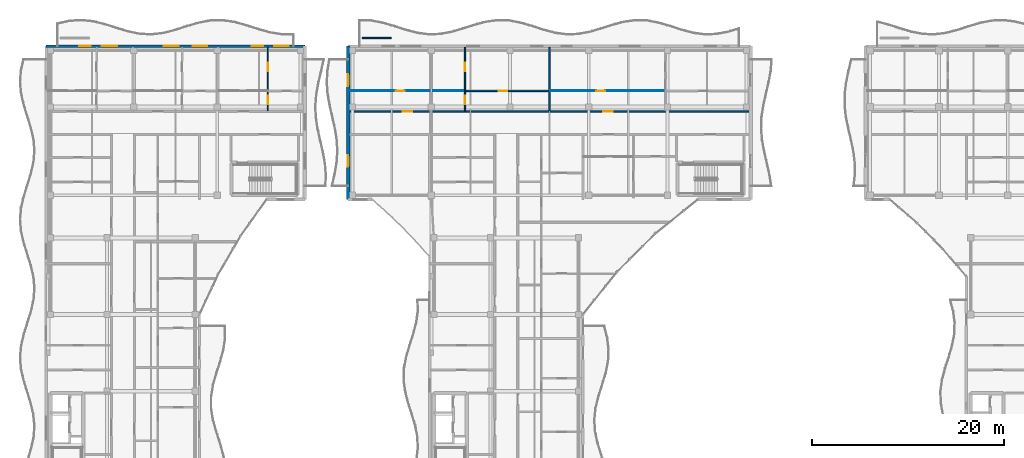
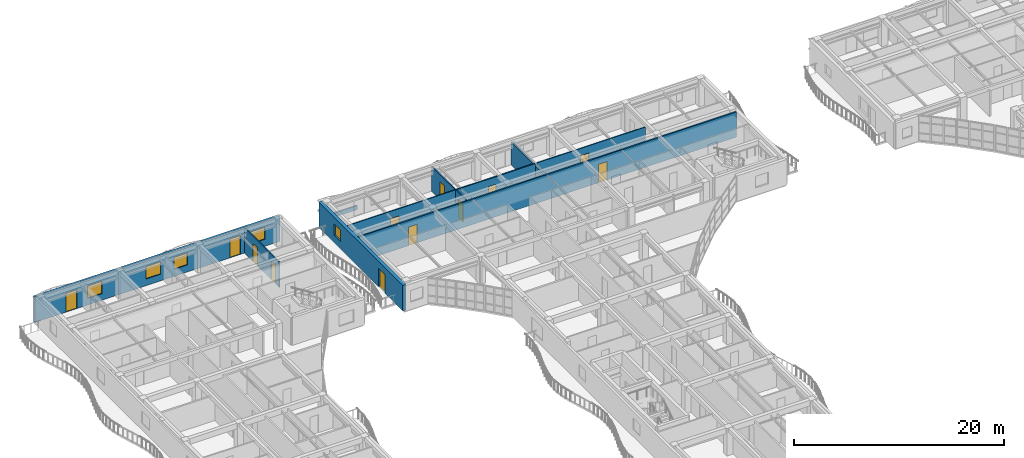
# One storey, part 90 of 128: 12 doors, 10 walls, 5 windows, 17 openings.
"""IFC4 building model written with IfcOpenShell, lengths in metres."""

from ifc_helpers import new_model, si_unit, direction, frame, frame_2d, origin, place, context, subcontext, project, spatial, rectangle, extrude, material, layer, layer_set, type_object, element, fill, save


model = new_model("IFC4")

# Units and contexts
model_context = context("Model", 3, precision=1e-05, world=origin(), true_north=direction((0.0, 1.0)))
body_context = subcontext(model_context, "Body", "Model", "MODEL_VIEW")
ifc_project = project(units=[si_unit("LENGTHUNIT", "METRE"), si_unit("AREAUNIT", "SQUARE_METRE"), si_unit("VOLUMEUNIT", "CUBIC_METRE"), si_unit("PLANEANGLEUNIT", "RADIAN"), si_unit("MASSUNIT", "GRAM", prefix="KILO")], contexts=[model_context])

# Site, building, storey
site_placement = place(None, origin())
site = spatial("IfcSite", under=ifc_project, at=site_placement, CompositionType="ELEMENT")
building_placement = place(site_placement, origin())
building = spatial("IfcBuilding", under=site, at=building_placement, Name="Keldmere Railside Commons", CompositionType="ELEMENT")
storey_placement = place(building_placement, frame((0.0, 0.0, 4.159912109375)))
storey = spatial("IfcBuildingStorey", under=building, at=storey_placement, Name="L01", CompositionType="ELEMENT", Elevation=4.159912109375)

# Wall
ifc_material_1 = material(Name="Acoustic Gypsum Board Partition", Category="gypsum")
ifc_layer_1 = layer(ifc_material_1, 0.179931640625, Name="Acoustic Demising Partition 180")
ifc_layer_set_1 = layer_set([ifc_layer_1], Name="Acoustic Gypsum Board Partition")
wall_type_1 = type_object("IfcWallType", Name="Acoustic Demising Partition 180", PredefinedType="PARTITIONING", material=ifc_layer_set_1)
wall_1_placement = place(storey_placement, frame((60.5, 109.280029296875, 0.0), z_axis=(0.0, 0.0, 1.0), x_axis=(0.0, 1.0, 0.0)))
element("IfcWall", 1, at=wall_1_placement, inside=storey, type_object=wall_type_1, Name="IW-1 IW-L01-0532", PredefinedType="PARTITIONING", context=body_context, shape_type="SweptSolid", body=[
    extrude(rectangle(XDim=6.590087890625, YDim=0.179931640625, at=frame_2d((3.294921875, 0.0))), origin(), (0.0, 0.0, 1.0), 2.670166015625),
])

# Wall, openings, doors
ifc_layer_2 = layer(ifc_material_1, 0.1201171875, Name="Apartment Interior Partition 120")
ifc_layer_set_2 = layer_set([ifc_layer_2], Name="Acoustic Gypsum Board Partition")
wall_type_2 = type_object("IfcWallType", Name="Apartment Interior Partition 120", PredefinedType="PARTITIONING", material=ifc_layer_set_2)
wall_2_placement = place(storey_placement, frame((31.1298828125, 109.280029296875, 0.0), z_axis=(0.0, 0.0, 1.0), x_axis=(0.0, 1.0, 0.0)))
wall_2 = element("IfcWall", 2, at=wall_2_placement, inside=storey, type_object=wall_type_2, Name="IW-4 IW-L01-0235", PredefinedType="PARTITIONING", context=body_context, shape_type="SweptSolid", body=[
    extrude(rectangle(XDim=6.599853515625, YDim=0.1201171875, at=frame_2d((3.2998046875, 0.0))), origin(), (0.0, 0.0, 1.0), 2.93505859375),
])
opening_1_placement = place(wall_2_placement, frame((0.656005859375, 0.0, 0.0)))
opening_1 = element("IfcOpeningElement", 3, at=opening_1_placement, cuts=wall_2, Name="Opening ID-04", PredefinedType="OPENING", context=body_context, shape_type="SweptSolid", body=[
    extrude(rectangle(XDim=0.860107421875, YDim=2.10009765625, at=frame_2d((0.43017578125, 1.050048828125))), frame((0.0, 0.070068359375, 0.0), z_axis=(0.0, -1.0, 0.0), x_axis=(1.0, 0.0, 0.0)), (0.0, 0.0, 1.0), 0.14013671875),
])
opening_2_placement = place(wall_2_placement, frame((4.097412109375, 0.0, 0.0)))
opening_2 = element("IfcOpeningElement", 4, at=opening_2_placement, cuts=wall_2, Name="Opening ID-01", PredefinedType="OPENING", context=body_context, shape_type="SweptSolid", body=[
    extrude(rectangle(XDim=0.89990234375, YDim=2.10009765625, at=frame_2d((0.449951171875, 1.050048828125))), frame((0.0, 0.070068359375, 0.0), z_axis=(0.0, -1.0, 0.0), x_axis=(1.0, 0.0, 0.0)), (0.0, 0.0, 1.0), 0.14013671875),
])
ifc_material_2 = material(Name="Engineered Oak Timber", Category="wood")
door_type_1 = type_object("IfcDoorType", Name="Apartment Bathroom Door 860x2100", OperationType="NOTDEFINED", PredefinedType="DOOR", material=ifc_material_2)
door_1_placement = place(opening_1_placement, origin())
door_1 = element("IfcDoor", 5, at=door_1_placement, inside=storey, type_object=door_type_1, Name="ID-04 IDR-L01-0147", OperationType="SINGLE_SWING_LEFT", OverallHeight=2.10009765625, OverallWidth=0.860107421875, PredefinedType="DOOR", context=body_context, shape_type="SweptSolid", body=[
    extrude(rectangle(XDim=0.860107421875, YDim=2.10009765625, at=frame_2d((0.43017578125, 1.050048828125))), frame((0.0, 0.02490234375, 0.0), z_axis=(0.0, -1.0, 0.0), x_axis=(1.0, 0.0, 0.0)), (0.0, 0.0, 1.0), 0.050048828125),
])
fill(opening_1, door_1)
door_type_2 = type_object("IfcDoorType", Name="Primary Bedroom Door 900x2100", OperationType="NOTDEFINED", PredefinedType="DOOR", material=ifc_material_2)
door_2_placement = place(opening_2_placement, origin())
door_2 = element("IfcDoor", 6, at=door_2_placement, inside=storey, type_object=door_type_2, Name="ID-01 IDR-L01-0148", OperationType="SINGLE_SWING_RIGHT", OverallHeight=2.10009765625, OverallWidth=0.89990234375, PredefinedType="DOOR", context=body_context, shape_type="SweptSolid", body=[
    extrude(rectangle(XDim=0.89990234375, YDim=2.10009765625, at=frame_2d((0.449951171875, 1.050048828125))), frame((0.0, 0.02490234375, 0.0), z_axis=(0.0, -1.0, 0.0), x_axis=(1.0, 0.0, 0.0)), (0.0, 0.0, 1.0), 0.050048828125),
])
fill(opening_2, door_2)

wall_3_placement = place(storey_placement, frame((51.699951171875, 109.280029296875, 0.0), z_axis=(0.0, 0.0, 1.0), x_axis=(0.0, 1.0, 0.0)))
wall_3 = element("IfcWall", 7, at=wall_3_placement, inside=storey, type_object=wall_type_2, Name="IW-4 IW-L01-0533", PredefinedType="PARTITIONING", context=body_context, shape_type="SweptSolid", body=[
    extrude(rectangle(XDim=6.590087890625, YDim=0.1201171875, at=frame_2d((3.294921875, 0.0))), origin(), (0.0, 0.0, 1.0), 2.93505859375),
])
opening_3_placement = place(wall_3_placement, frame((0.656005859375, 0.0, 0.0)))
opening_3 = element("IfcOpeningElement", 8, at=opening_3_placement, cuts=wall_3, Name="Opening ID-04", PredefinedType="OPENING", context=body_context, shape_type="SweptSolid", body=[
    extrude(rectangle(XDim=0.860107421875, YDim=2.10009765625, at=frame_2d((0.43017578125, 1.050048828125))), frame((0.0, 0.070068359375, 0.0), z_axis=(0.0, -1.0, 0.0), x_axis=(1.0, 0.0, 0.0)), (0.0, 0.0, 1.0), 0.14013671875),
])
opening_4_placement = place(wall_3_placement, frame((4.093017578125, 0.0, 0.0)))
opening_4 = element("IfcOpeningElement", 9, at=opening_4_placement, cuts=wall_3, Name="Opening ID-01", PredefinedType="OPENING", context=body_context, shape_type="SweptSolid", body=[
    extrude(rectangle(XDim=0.89990234375, YDim=2.10009765625, at=frame_2d((0.449951171875, 1.050048828125))), frame((0.0, 0.070068359375, 0.0), z_axis=(0.0, -1.0, 0.0), x_axis=(1.0, 0.0, 0.0)), (0.0, 0.0, 1.0), 0.14013671875),
])
door_3_placement = place(opening_3_placement, origin())
door_3 = element("IfcDoor", 10, at=door_3_placement, inside=storey, type_object=door_type_1, Name="ID-04 IDR-L01-0426", OperationType="SINGLE_SWING_RIGHT", OverallHeight=2.10009765625, OverallWidth=0.860107421875, PredefinedType="DOOR", context=body_context, shape_type="SweptSolid", body=[
    extrude(rectangle(XDim=0.860107421875, YDim=2.10009765625, at=frame_2d((0.43017578125, 1.050048828125))), frame((0.0, 0.02490234375, 0.0), z_axis=(0.0, -1.0, 0.0), x_axis=(1.0, 0.0, 0.0)), (0.0, 0.0, 1.0), 0.050048828125),
])
fill(opening_3, door_3)
door_4_placement = place(opening_4_placement, origin())
door_4 = element("IfcDoor", 11, at=door_4_placement, inside=storey, type_object=door_type_2, Name="ID-01 IDR-L01-0427", OperationType="SINGLE_SWING_LEFT", OverallHeight=2.10009765625, OverallWidth=0.89990234375, PredefinedType="DOOR", context=body_context, shape_type="SweptSolid", body=[
    extrude(rectangle(XDim=0.89990234375, YDim=2.10009765625, at=frame_2d((0.449951171875, 1.050048828125))), frame((0.0, 0.02490234375, 0.0), z_axis=(0.0, -1.0, 0.0), x_axis=(1.0, 0.0, 0.0)), (0.0, 0.0, 1.0), 0.050048828125),
])
fill(opening_4, door_4)

# Wall
ifc_material_3 = material(Name="White Precast Concrete H-35 (C35/45)", Category="concrete")
ifc_layer_3 = layer(ifc_material_3, 0.169921875, Name="Balcony Planter Kerb Wall 170")
ifc_layer_set_3 = layer_set([ifc_layer_3], Name="White Precast Concrete H-35 (C35/45)")
wall_type_3 = type_object("IfcWallType", Name="Balcony Planter Kerb Wall 170", PredefinedType="PARAPET", material=ifc_layer_set_3)
wall_4_placement = place(storey_placement, frame((41.0, 116.85009765625, 0.0), z_axis=(0.0, 0.0, 1.0), x_axis=(1.0, 0.0, 0.0)))
element("IfcWall", 12, at=wall_4_placement, inside=storey, type_object=wall_type_3, Name="PW-2 PKBC-L01-0334", PredefinedType="PARAPET", context=body_context, shape_type="SweptSolid", body=[
    extrude(rectangle(XDim=3.0, YDim=0.169921875, at=frame_2d((1.5, 0.0))), origin(), (0.0, 0.0, 1.0), 0.4501953125),
])

# Wall, opening, door
ifc_layer_4 = layer(ifc_material_1, 0.10009765625, Name="Closet Light Partition 100")
ifc_layer_set_4 = layer_set([ifc_layer_4], Name="Acoustic Gypsum Board Partition")
wall_type_4 = type_object("IfcWallType", Name="Closet Light Partition 100", PredefinedType="PARTITIONING", material=ifc_layer_set_4)
wall_5_placement = place(storey_placement, frame((39.679931640625, 111.330078125, 0.0), z_axis=(0.0, 0.0, 1.0), x_axis=(1.0, 0.0, 0.0)))
wall_5 = element("IfcWall", 13, at=wall_5_placement, inside=storey, type_object=wall_type_4, Name="IW-6 IW-L01-0535", PredefinedType="PARTITIONING", context=body_context, shape_type="SweptSolid", body=[
    extrude(rectangle(XDim=11.9599609375, YDim=0.10009765625, at=frame_2d((5.97998046875, 0.0))), origin(), (0.0, 0.0, 1.0), 2.93505859375),
])
opening_5_placement = place(wall_5_placement, frame((4.80810546875, 0.0, 0.0)))
opening_5 = element("IfcOpeningElement", 14, at=opening_5_placement, cuts=wall_5, Name="Opening ID-03", PredefinedType="OPENING", context=body_context, shape_type="SweptSolid", body=[
    extrude(rectangle(XDim=0.919921875, YDim=2.10009765625, at=frame_2d((0.4599609375, 1.050048828125))), frame((0.0, 0.06005859375, 0.0), z_axis=(0.0, -1.0, 0.0), x_axis=(1.0, 0.0, 0.0)), (0.0, 0.0, 1.0), 0.1201171875),
])
door_type_3 = type_object("IfcDoorType", Name="Kitchen Pocket-Frame Swing Door 920x2100", OperationType="NOTDEFINED", PredefinedType="DOOR", material=ifc_material_2)
door_5_placement = place(opening_5_placement, origin())
door_5 = element("IfcDoor", 15, at=door_5_placement, inside=storey, type_object=door_type_3, Name="ID-03 IDR-L01-0425", OperationType="SINGLE_SWING_LEFT", OverallHeight=2.10009765625, OverallWidth=0.919921875, PredefinedType="DOOR", context=body_context, shape_type="SweptSolid", body=[
    extrude(rectangle(XDim=0.919921875, YDim=2.10009765625, at=frame_2d((0.4599609375, 1.050048828125))), frame((0.0, 0.02490234375, 0.0), z_axis=(0.0, -1.0, 0.0), x_axis=(1.0, 0.0, 0.0)), (0.0, 0.0, 1.0), 0.050048828125),
])
fill(opening_5, door_5)

wall_6_placement = place(storey_placement, frame((60.590087890625, 111.330078125, 0.0), z_axis=(0.0, 0.0, 1.0), x_axis=(1.0, 0.0, 0.0)))
wall_6 = element("IfcWall", 16, at=wall_6_placement, inside=storey, type_object=wall_type_4, Name="IW-6 IW-L01-0538", PredefinedType="PARTITIONING", context=body_context, shape_type="SweptSolid", body=[
    extrude(rectangle(XDim=11.9599609375, YDim=0.10009765625, at=frame_2d((5.97998046875, 0.0))), origin(), (0.0, 0.0, 1.0), 2.93505859375),
])
opening_6_placement = place(wall_6_placement, frame((4.80810546875, 0.0, 0.0)))
opening_6 = element("IfcOpeningElement", 17, at=opening_6_placement, cuts=wall_6, Name="Opening ID-03", PredefinedType="OPENING", context=body_context, shape_type="SweptSolid", body=[
    extrude(rectangle(XDim=0.919921875, YDim=2.10009765625, at=frame_2d((0.4599609375, 1.050048828125))), frame((0.0, 0.06005859375, 0.0), z_axis=(0.0, -1.0, 0.0), x_axis=(1.0, 0.0, 0.0)), (0.0, 0.0, 1.0), 0.1201171875),
])
door_6_placement = place(opening_6_placement, origin())
door_6 = element("IfcDoor", 18, at=door_6_placement, inside=storey, type_object=door_type_3, Name="ID-03 IDR-L01-0430", OperationType="SINGLE_SWING_RIGHT", OverallHeight=2.10009765625, OverallWidth=0.919921875, PredefinedType="DOOR", context=body_context, shape_type="SweptSolid", body=[
    extrude(rectangle(XDim=0.919921875, YDim=2.10009765625, at=frame_2d((0.4599609375, 1.050048828125))), frame((0.0, 0.02490234375, 0.0), z_axis=(0.0, -1.0, 0.0), x_axis=(1.0, 0.0, 0.0)), (0.0, 0.0, 1.0), 0.050048828125),
])
fill(opening_6, door_6)

# Wall, openings, doors
ifc_layer_5 = layer(ifc_material_1, 0.159912109375, Name="Corridor Fire Partition 160")
ifc_layer_set_5 = layer_set([ifc_layer_5], Name="Acoustic Gypsum Board Partition")
wall_type_5 = type_object("IfcWallType", Name="Corridor Fire Partition 160", PredefinedType="PARTITIONING", material=ifc_layer_set_5)
wall_7_placement = place(storey_placement, frame((39.679931640625, 109.199951171875, 0.0), z_axis=(0.0, 0.0, 1.0), x_axis=(1.0, 0.0, 0.0)))
wall_7 = element("IfcWall", 19, at=wall_7_placement, inside=storey, type_object=wall_type_5, Name="IW-2 IW-L01-0510", PredefinedType="PARTITIONING", context=body_context, shape_type="SweptSolid", body=[
    extrude(rectangle(XDim=41.64013671875, YDim=0.159912109375, at=frame_2d((20.820068359375, 0.0))), origin(), (0.0, 0.0, 1.0), 2.93505859375),
])
opening_7_placement = place(wall_7_placement, frame((5.52001953125, 0.0, 0.0)))
opening_7 = element("IfcOpeningElement", 20, at=opening_7_placement, cuts=wall_7, Name="Opening FD-7", PredefinedType="OPENING", context=body_context, shape_type="SweptSolid", body=[
    extrude(rectangle(XDim=0.97998046875, YDim=2.14990234375, at=frame_2d((0.489990234375, 1.074951171875))), frame((0.0, 0.08984375, 0.0), z_axis=(0.0, -1.0, 0.0), x_axis=(1.0, 0.0, 0.0)), (0.0, 0.0, 1.0), 0.179931640625),
])
opening_8_placement = place(wall_7_placement, frame((26.429931640625, 0.0, 0.0)))
opening_8 = element("IfcOpeningElement", 21, at=opening_8_placement, cuts=wall_7, Name="Opening FD-7", PredefinedType="OPENING", context=body_context, shape_type="SweptSolid", body=[
    extrude(rectangle(XDim=0.97998046875, YDim=2.14990234375, at=frame_2d((0.489990234375, 1.074951171875))), frame((0.0, 0.08984375, 0.0), z_axis=(0.0, -1.0, 0.0), x_axis=(1.0, 0.0, 0.0)), (0.0, 0.0, 1.0), 0.179931640625),
])
door_type_4 = type_object("IfcDoorType", Name="Apartment Entrance Acoustic Fire Door 980x2150", OperationType="NOTDEFINED", PredefinedType="DOOR", material=ifc_material_2)
door_7_placement = place(opening_7_placement, origin())
door_7 = element("IfcDoor", 22, at=door_7_placement, inside=storey, type_object=door_type_4, Name="FD-7 IDR-L01-0424", OperationType="SINGLE_SWING_RIGHT", OverallHeight=2.14990234375, OverallWidth=0.97998046875, PredefinedType="DOOR", context=body_context, shape_type="SweptSolid", body=[
    extrude(rectangle(XDim=0.97998046875, YDim=2.14990234375, at=frame_2d((0.489990234375, 1.074951171875))), frame((0.0, 0.02490234375, 0.0), z_axis=(0.0, -1.0, 0.0), x_axis=(1.0, 0.0, 0.0)), (0.0, 0.0, 1.0), 0.050048828125),
])
fill(opening_7, door_7)
door_8_placement = place(opening_8_placement, origin())
door_8 = element("IfcDoor", 23, at=door_8_placement, inside=storey, type_object=door_type_4, Name="FD-7 IDR-L01-0429", OperationType="SINGLE_SWING_LEFT", OverallHeight=2.14990234375, OverallWidth=0.97998046875, PredefinedType="DOOR", context=body_context, shape_type="SweptSolid", body=[
    extrude(rectangle(XDim=0.97998046875, YDim=2.14990234375, at=frame_2d((0.489990234375, 1.074951171875))), frame((0.0, 0.02490234375, 0.0), z_axis=(0.0, -1.0, 0.0), x_axis=(1.0, 0.0, 0.0)), (0.0, 0.0, 1.0), 0.050048828125),
])
fill(opening_8, door_8)

# Wall, openings, door, window
ifc_material_4 = material(Name="Concrete H-35 (C35/45)", Category="concrete")
ifc_layer_6 = layer(ifc_material_4, 0.360107421875, Name="Exterior Shear Wall 360")
ifc_layer_set_6 = layer_set([ifc_layer_6], Name="Concrete H-35 (C35/45)")
wall_type_6 = type_object("IfcWallType", Name="Exterior Shear Wall 360", PredefinedType="SHEAR", material=ifc_layer_set_6)
wall_8_placement = place(storey_placement, frame((39.5, 100.0, 0.0), z_axis=(0.0, 0.0, 1.0), x_axis=(0.0, 1.0, 0.0)))
wall_8 = element("IfcWall", 24, at=wall_8_placement, inside=storey, type_object=wall_type_6, Name="ESW-1 EXTC-L01-0331", PredefinedType="SHEAR", context=body_context, shape_type="SweptSolid", body=[
    extrude(rectangle(XDim=16.0, YDim=0.360107421875, at=frame_2d((8.0, 0.0))), origin(), (0.0, 0.0, 1.0), 2.97998046875),
])
opening_9_placement = place(wall_8_placement, frame((3.39990234375, 0.0, 0.0)))
opening_9 = element("IfcOpeningElement", 25, at=opening_9_placement, cuts=wall_8, Name="Opening BD-01", PredefinedType="OPENING", context=body_context, shape_type="SweptSolid", body=[
    extrude(rectangle(XDim=1.199951171875, YDim=2.199951171875, at=frame_2d((0.60009765625, 1.10009765625))), frame((0.0, 0.18994140625, 0.0), z_axis=(0.0, -1.0, 0.0), x_axis=(1.0, 0.0, 0.0)), (0.0, 0.0, 1.0), 0.380126953125),
])
opening_10_placement = place(wall_8_placement, frame((11.824951171875, 0.0, 0.8701171875)))
opening_10 = element("IfcOpeningElement", 26, at=opening_10_placement, cuts=wall_8, Name="Opening WN-09", PredefinedType="OPENING", context=body_context, shape_type="SweptSolid", body=[
    extrude(rectangle(XDim=1.25, YDim=1.35009765625, at=frame_2d((0.625, 0.675048828125))), frame((0.0, 0.18994140625, 0.0), z_axis=(0.0, -1.0, 0.0), x_axis=(1.0, 0.0, 0.0)), (0.0, 0.0, 1.0), 0.380126953125),
])
ifc_material_5 = material(Name="Thermally Broken Aluminium", Category="aluminium")
door_type_5 = type_object("IfcDoorType", Name="Apartment Living Wave-Balcony Glazed Door 1200x2200", OperationType="NOTDEFINED", PredefinedType="DOOR", material=ifc_material_5)
door_9_placement = place(opening_9_placement, origin())
door_9 = element("IfcDoor", 27, at=door_9_placement, inside=storey, type_object=door_type_5, Name="BD-01 DR-L01-0059", OperationType="SINGLE_SWING_LEFT", OverallHeight=2.199951171875, OverallWidth=1.199951171875, PredefinedType="DOOR", context=body_context, shape_type="SweptSolid", body=[
    extrude(rectangle(XDim=1.199951171875, YDim=2.199951171875, at=frame_2d((0.60009765625, 1.10009765625))), frame((0.0, 0.02490234375, 0.0), z_axis=(0.0, -1.0, 0.0), x_axis=(1.0, 0.0, 0.0)), (0.0, 0.0, 1.0), 0.050048828125),
])
fill(opening_9, door_9)
ifc_material_6 = material(Name="Low-E Insulated Double Glazing", Category="glass")
window_type_1 = type_object("IfcWindowType", Name="Secondary Bedroom Window 1250x1350", PartitioningType="SINGLE_PANEL", PredefinedType="WINDOW", material=ifc_material_6)
window_1_placement = place(opening_10_placement, origin())
window_1 = element("IfcWindow", 28, at=window_1_placement, inside=storey, type_object=window_type_1, Name="WN-09 WIN-L01-0186", OverallHeight=1.35009765625, OverallWidth=1.25, PartitioningType="SINGLE_PANEL", PredefinedType="WINDOW", context=body_context, shape_type="SweptSolid", body=[
    extrude(rectangle(XDim=1.25, YDim=1.35009765625, at=frame_2d((0.625, 0.675048828125))), frame((0.0, 0.030029296875, 0.0), z_axis=(0.0, -1.0, 0.0), x_axis=(1.0, 0.0, 0.0)), (0.0, 0.0, 1.0), 0.06005859375),
])
fill(opening_10, window_1)

# Wall, openings, doors, windows
ifc_material_7 = material(Name="Architectural Precast Concrete H-35 (C35/45)", Category="concrete")
ifc_layer_7 = layer(ifc_material_7, 0.239990234375, Name="Sand-Ochre Precast Cavity Wall 240")
ifc_layer_set_7 = layer_set([ifc_layer_7], Name="Architectural Precast Concrete H-35 (C35/45)")
wall_type_7 = type_object("IfcWallType", Name="Sand-Ochre Precast Cavity Wall 240", PredefinedType="SOLIDWALL", material=ifc_layer_set_7)
wall_9_placement = place(storey_placement, frame((8.0, 116.0, 0.0), z_axis=(0.0, 0.0, 1.0), x_axis=(1.0, 0.0, 0.0)))
wall_9 = element("IfcWall", 29, at=wall_9_placement, inside=storey, type_object=wall_type_7, Name="EW-2 EXTD-L01-0133", PredefinedType="SOLIDWALL", context=body_context, shape_type="SweptSolid", body=[
    extrude(rectangle(XDim=27.0, YDim=0.239990234375, at=frame_2d((13.5, 0.0))), origin(), (0.0, 0.0, 1.0), 2.97998046875),
])
opening_11_placement = place(wall_9_placement, frame((3.449951171875, 0.0, 0.0)))
opening_11 = element("IfcOpeningElement", 30, at=opening_11_placement, cuts=wall_9, Name="Opening BD-01", PredefinedType="OPENING", context=body_context, shape_type="SweptSolid", body=[
    extrude(rectangle(XDim=1.199951171875, YDim=2.199951171875, at=frame_2d((0.60009765625, 1.10009765625))), frame((0.0, 0.1298828125, 0.0), z_axis=(0.0, -1.0, 0.0), x_axis=(1.0, 0.0, 0.0)), (0.0, 0.0, 1.0), 0.260009765625),
])
opening_12_placement = place(wall_9_placement, frame((5.800048828125, 0.0, 0.77001953125)))
opening_12 = element("IfcOpeningElement", 31, at=opening_12_placement, cuts=wall_9, Name="Opening WN-04", PredefinedType="OPENING", context=body_context, shape_type="SweptSolid", body=[
    extrude(rectangle(XDim=1.60009765625, YDim=1.449951171875, at=frame_2d((0.800048828125, 0.72509765625))), frame((0.0, 0.1298828125, 0.0), z_axis=(0.0, -1.0, 0.0), x_axis=(1.0, 0.0, 0.0)), (0.0, 0.0, 1.0), 0.260009765625),
])
opening_13_placement = place(wall_9_placement, frame((12.25, 0.0, 0.77001953125)))
opening_13 = element("IfcOpeningElement", 32, at=opening_13_placement, cuts=wall_9, Name="Opening WN-04", PredefinedType="OPENING", context=body_context, shape_type="SweptSolid", body=[
    extrude(rectangle(XDim=1.60009765625, YDim=1.449951171875, at=frame_2d((0.800048828125, 0.72509765625))), frame((0.0, 0.1298828125, 0.0), z_axis=(0.0, -1.0, 0.0), x_axis=(1.0, 0.0, 0.0)), (0.0, 0.0, 1.0), 0.260009765625),
])
opening_14_placement = place(wall_9_placement, frame((21.449951171875, 0.0, 0.0)))
opening_14 = element("IfcOpeningElement", 33, at=opening_14_placement, cuts=wall_9, Name="Opening BD-01", PredefinedType="OPENING", context=body_context, shape_type="SweptSolid", body=[
    extrude(rectangle(XDim=1.199951171875, YDim=2.199951171875, at=frame_2d((0.60009765625, 1.10009765625))), frame((0.0, 0.1298828125, 0.0), z_axis=(0.0, -1.0, 0.0), x_axis=(1.0, 0.0, 0.0)), (0.0, 0.0, 1.0), 0.260009765625),
])
opening_15_placement = place(wall_9_placement, frame((23.800048828125, 0.0, 0.820068359375)))
opening_15 = element("IfcOpeningElement", 34, at=opening_15_placement, cuts=wall_9, Name="Opening WN-06", PredefinedType="OPENING", context=body_context, shape_type="SweptSolid", body=[
    extrude(rectangle(XDim=1.5, YDim=1.39990234375, at=frame_2d((0.75, 0.699951171875))), frame((0.0, 0.1298828125, 0.0), z_axis=(0.0, -1.0, 0.0), x_axis=(1.0, 0.0, 0.0)), (0.0, 0.0, 1.0), 0.260009765625),
])
opening_16_placement = place(wall_9_placement, frame((15.300048828125, 0.0, 0.820068359375)))
opening_16 = element("IfcOpeningElement", 35, at=opening_16_placement, cuts=wall_9, Name="Opening WN-06", PredefinedType="OPENING", context=body_context, shape_type="SweptSolid", body=[
    extrude(rectangle(XDim=1.5, YDim=1.39990234375, at=frame_2d((0.75, 0.699951171875))), frame((0.0, 0.1298828125, 0.0), z_axis=(0.0, -1.0, 0.0), x_axis=(1.0, 0.0, 0.0)), (0.0, 0.0, 1.0), 0.260009765625),
])
door_10_placement = place(opening_11_placement, origin())
door_10 = element("IfcDoor", 36, at=door_10_placement, inside=storey, type_object=door_type_5, Name="BD-01 DR-L01-0010", OperationType="SINGLE_SWING_RIGHT", OverallHeight=2.199951171875, OverallWidth=1.199951171875, PredefinedType="DOOR", context=body_context, shape_type="SweptSolid", body=[
    extrude(rectangle(XDim=1.199951171875, YDim=2.199951171875, at=frame_2d((0.60009765625, 1.10009765625))), frame((0.0, 0.02490234375, 0.0), z_axis=(0.0, -1.0, 0.0), x_axis=(1.0, 0.0, 0.0)), (0.0, 0.0, 1.0), 0.050048828125),
])
fill(opening_11, door_10)
door_11_placement = place(opening_14_placement, origin())
door_11 = element("IfcDoor", 37, at=door_11_placement, inside=storey, type_object=door_type_5, Name="BD-01 DR-L01-0011", OperationType="SINGLE_SWING_LEFT", OverallHeight=2.199951171875, OverallWidth=1.199951171875, PredefinedType="DOOR", context=body_context, shape_type="SweptSolid", body=[
    extrude(rectangle(XDim=1.199951171875, YDim=2.199951171875, at=frame_2d((0.60009765625, 1.10009765625))), frame((0.0, 0.02490234375, 0.0), z_axis=(0.0, -1.0, 0.0), x_axis=(1.0, 0.0, 0.0)), (0.0, 0.0, 1.0), 0.050048828125),
])
fill(opening_14, door_11)
window_type_2 = type_object("IfcWindowType", Name="Living Room West Shaded Window 1600x1450", PartitioningType="SINGLE_PANEL", PredefinedType="WINDOW", material=ifc_material_6)
window_2_placement = place(opening_12_placement, origin())
window_2 = element("IfcWindow", 38, at=window_2_placement, inside=storey, type_object=window_type_2, Name="WN-04 WIN-L01-0037", OverallHeight=1.449951171875, OverallWidth=1.60009765625, PartitioningType="SINGLE_PANEL", PredefinedType="WINDOW", context=body_context, shape_type="SweptSolid", body=[
    extrude(rectangle(XDim=1.60009765625, YDim=1.449951171875, at=frame_2d((0.800048828125, 0.72509765625))), frame((0.0, 0.030029296875, 0.0), z_axis=(0.0, -1.0, 0.0), x_axis=(1.0, 0.0, 0.0)), (0.0, 0.0, 1.0), 0.06005859375),
])
fill(opening_12, window_2)
window_3_placement = place(opening_13_placement, origin())
window_3 = element("IfcWindow", 39, at=window_3_placement, inside=storey, type_object=window_type_2, Name="WN-04 WIN-L01-0038", OverallHeight=1.449951171875, OverallWidth=1.60009765625, PartitioningType="SINGLE_PANEL", PredefinedType="WINDOW", context=body_context, shape_type="SweptSolid", body=[
    extrude(rectangle(XDim=1.60009765625, YDim=1.449951171875, at=frame_2d((0.800048828125, 0.72509765625))), frame((0.0, 0.030029296875, 0.0), z_axis=(0.0, -1.0, 0.0), x_axis=(1.0, 0.0, 0.0)), (0.0, 0.0, 1.0), 0.06005859375),
])
fill(opening_13, window_3)
window_type_3 = type_object("IfcWindowType", Name="Primary Bedroom North Window 1500x1400", PartitioningType="SINGLE_PANEL", PredefinedType="WINDOW", material=ifc_material_6)
window_4_placement = place(opening_15_placement, origin())
window_4 = element("IfcWindow", 40, at=window_4_placement, inside=storey, type_object=window_type_3, Name="WN-06 WIN-L01-0039", OverallHeight=1.39990234375, OverallWidth=1.5, PartitioningType="SINGLE_PANEL", PredefinedType="WINDOW", context=body_context, shape_type="SweptSolid", body=[
    extrude(rectangle(XDim=1.5, YDim=1.39990234375, at=frame_2d((0.75, 0.699951171875))), frame((0.0, 0.030029296875, 0.0), z_axis=(0.0, -1.0, 0.0), x_axis=(1.0, 0.0, 0.0)), (0.0, 0.0, 1.0), 0.06005859375),
])
fill(opening_15, window_4)
window_5_placement = place(opening_16_placement, origin())
window_5 = element("IfcWindow", 41, at=window_5_placement, inside=storey, type_object=window_type_3, Name="WN-06 WIN-L01-9002", OverallHeight=1.39990234375, OverallWidth=1.5, PartitioningType="SINGLE_PANEL", PredefinedType="WINDOW", context=body_context, shape_type="SweptSolid", body=[
    extrude(rectangle(XDim=1.5, YDim=1.39990234375, at=frame_2d((0.75, 0.699951171875))), frame((0.0, 0.030029296875, 0.0), z_axis=(0.0, -1.0, 0.0), x_axis=(1.0, 0.0, 0.0)), (0.0, 0.0, 1.0), 0.06005859375),
])
fill(opening_16, window_5)

# Wall, opening, door
ifc_layer_8 = layer(ifc_material_1, 0.139892578125, Name="Wet-Room Sanitary Partition 140")
ifc_layer_set_8 = layer_set([ifc_layer_8], Name="Acoustic Gypsum Board Partition")
wall_type_8 = type_object("IfcWallType", Name="Wet-Room Sanitary Partition 140", PredefinedType="PARTITIONING", material=ifc_layer_set_8)
wall_10_placement = place(storey_placement, frame((51.760009765625, 111.330078125, 0.0), z_axis=(0.0, 0.0, 1.0), x_axis=(1.0, 0.0, 0.0)))
wall_10 = element("IfcWall", 42, at=wall_10_placement, inside=storey, type_object=wall_type_8, Name="IW-5 IW-L01-0534", PredefinedType="PARTITIONING", context=body_context, shape_type="SweptSolid", body=[
    extrude(rectangle(XDim=8.64990234375, YDim=0.139892578125, at=frame_2d((4.324951171875, 0.0))), origin(), (0.0, 0.0, 1.0), 2.93505859375),
])
opening_17_placement = place(wall_10_placement, frame((3.48388671875, 0.0, 0.0)))
opening_17 = element("IfcOpeningElement", 43, at=opening_17_placement, cuts=wall_10, Name="Opening ID-06", PredefinedType="OPENING", context=body_context, shape_type="SweptSolid", body=[
    extrude(rectangle(XDim=0.85009765625, YDim=2.050048828125, at=frame_2d((0.425048828125, 1.02490234375))), frame((0.0, 0.079833984375, 0.0), z_axis=(0.0, -1.0, 0.0), x_axis=(1.0, 0.0, 0.0)), (0.0, 0.0, 1.0), 0.159912109375),
])
door_type_6 = type_object("IfcDoorType", Name="Storage Closet Door 850x2050", OperationType="NOTDEFINED", PredefinedType="DOOR", material=ifc_material_2)
door_12_placement = place(opening_17_placement, origin())
door_12 = element("IfcDoor", 44, at=door_12_placement, inside=storey, type_object=door_type_6, Name="ID-06 IDR-L01-0428", OperationType="SINGLE_SWING_RIGHT", OverallHeight=2.050048828125, OverallWidth=0.85009765625, PredefinedType="DOOR", context=body_context, shape_type="SweptSolid", body=[
    extrude(rectangle(XDim=0.85009765625, YDim=2.050048828125, at=frame_2d((0.425048828125, 1.02490234375))), frame((0.0, 0.02490234375, 0.0), z_axis=(0.0, -1.0, 0.0), x_axis=(1.0, 0.0, 0.0)), (0.0, 0.0, 1.0), 0.050048828125),
])
fill(opening_17, door_12)

save(model, "model.ifc")
